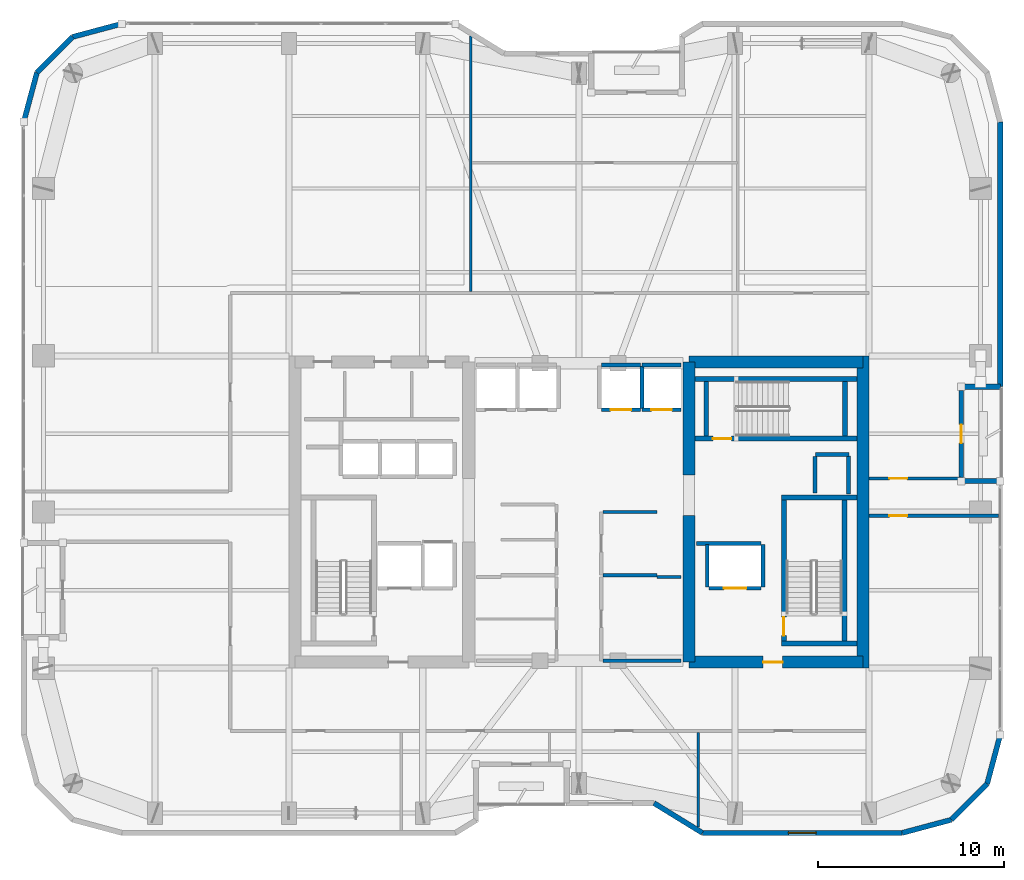
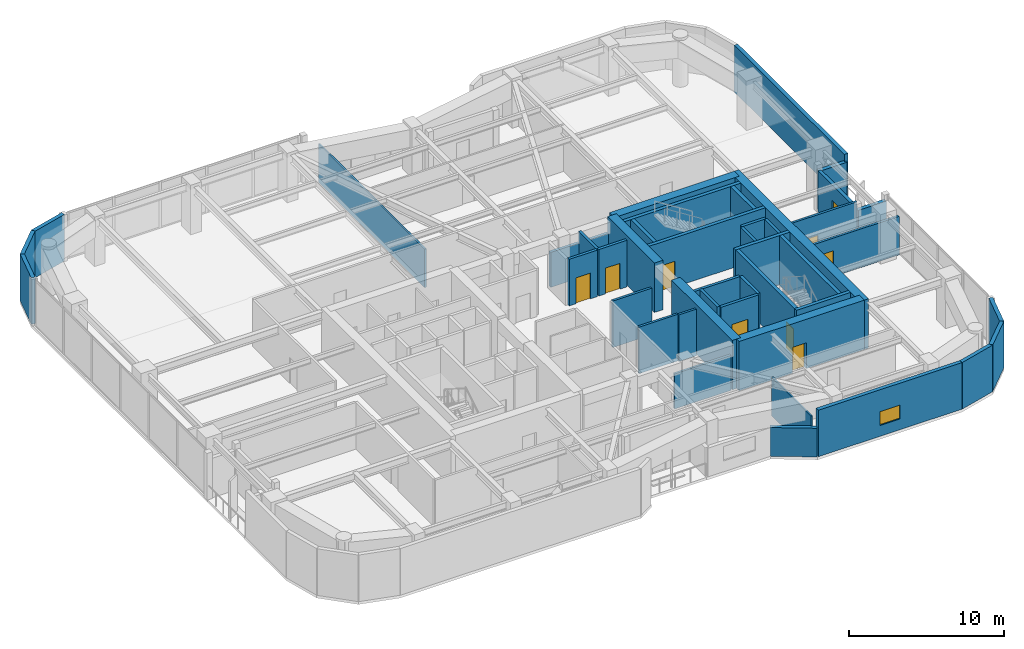
# One storey, part 26 of 30: 45 walls, 9 doors, 1 window, 10 openings.
"""IFC4 building model written with IfcOpenShell, lengths in metres."""

from ifc_helpers import new_model, si_unit, direction, frame, frame_2d, origin, place, context, subcontext, project, spatial, rectangle, extrude, material, layer, layer_set, type_object, element, fill, save


model = new_model("IFC4")

# Units and contexts
model_context = context("Model", 3, precision=1e-05, world=origin(), true_north=direction((0.0, 1.0)))
body_context = subcontext(model_context, "Body", "Model", "MODEL_VIEW")
ifc_project = project(units=[si_unit("LENGTHUNIT", "METRE"), si_unit("AREAUNIT", "SQUARE_METRE"), si_unit("VOLUMEUNIT", "CUBIC_METRE"), si_unit("PLANEANGLEUNIT", "RADIAN"), si_unit("MASSUNIT", "GRAM", prefix="KILO")], contexts=[model_context])

# Site, building, storey
site_placement = place(None, origin())
site = spatial("IfcSite", under=ifc_project, at=site_placement, CompositionType="ELEMENT")
building_placement = place(site_placement, origin())
building = spatial("IfcBuilding", under=site, at=building_placement, Name="Kiyonajd Concourse Tower", CompositionType="ELEMENT")
storey_placement = place(building_placement, frame((0.0, 0.0, 194.10009765625)))
storey = spatial("IfcBuildingStorey", under=building, at=storey_placement, Name="L49", CompositionType="ELEMENT", Elevation=194.10009765625)

# Walls
ifc_material_1 = material(Name="Concrete C60/75", Category="concrete")
ifc_layer_1 = layer(ifc_material_1, 0.64990234375)
ifc_layer_set_1 = layer_set([ifc_layer_1], Name="Concrete C60/75")
wall_type_1 = type_object("IfcWallType", Name="WL-CORE-650", PredefinedType="SHEAR", material=ifc_layer_set_1)
wall_1_placement = place(storey_placement, frame((53.925048828125, 27.925048828125, 0.0), z_axis=(0.0, 0.0, 1.0), x_axis=(0.0, 1.0, 0.0)))
element("IfcWall", 1, at=wall_1_placement, inside=storey, type_object=wall_type_1, Name="L49 East Core Inner South Shear Wall", PredefinedType="SHEAR", context=body_context, shape_type="SweptSolid", body=[
    extrude(rectangle(XDim=7.875, YDim=0.64990234375, at=frame_2d((3.9375, 0.0))), origin(), (0.0, 0.0, 1.0), 3.89990234375),
])
wall_2_placement = place(storey_placement, frame((53.925048828125, 38.0, 0.0), z_axis=(0.0, 0.0, 1.0), x_axis=(0.0, 1.0, 0.0)))
element("IfcWall", 2, at=wall_2_placement, inside=storey, type_object=wall_type_1, Name="L49 East Core Inner North Shear Wall", PredefinedType="SHEAR", context=body_context, shape_type="SweptSolid", body=[
    extrude(rectangle(XDim=6.074951171875, YDim=0.64990234375, at=frame_2d((3.03759765625, 0.0))), origin(), (0.0, 0.0, 1.0), 3.89990234375),
])
wall_3_placement = place(storey_placement, frame((63.27490234375, 27.60009765625, 0.0), z_axis=(0.0, 0.0, 1.0), x_axis=(0.0, 1.0, 0.0)))
element("IfcWall", 3, at=wall_3_placement, inside=storey, type_object=wall_type_1, Name="L49 East Core Outer Shear Wall", PredefinedType="SHEAR", context=body_context, shape_type="SweptSolid", body=[
    extrude(rectangle(XDim=16.7998046875, YDim=0.64990234375, at=frame_2d((8.39990234375, 0.0))), origin(), (0.0, 0.0, 1.0), 3.89990234375),
])

# Wall, opening, door
wall_4_placement = place(storey_placement, frame((53.925048828125, 27.925048828125, 0.0), z_axis=(0.0, 0.0, 1.0), x_axis=(1.0, 0.0, 0.0)))
wall_4 = element("IfcWall", 4, at=wall_4_placement, inside=storey, type_object=wall_type_1, Name="L49 East Core South Shear Wall", PredefinedType="SHEAR", context=body_context, shape_type="SweptSolid", body=[
    extrude(rectangle(XDim=9.349853515625, YDim=0.64990234375, at=frame_2d((4.6748046875, 0.0))), origin(), (0.0, 0.0, 1.0), 3.89990234375),
])
opening_1_placement = place(wall_4_placement, frame((3.97509765625, 0.0, 0.0)))
opening_1 = element("IfcOpeningElement", 5, at=opening_1_placement, cuts=wall_4, Name="Opening DF5", PredefinedType="OPENING", context=body_context, shape_type="SweptSolid", body=[
    extrude(rectangle(XDim=1.050048828125, YDim=2.0400390625, at=frame_2d((0.52490234375, 1.02001953125))), frame((0.0, 0.3349609375, 0.0), z_axis=(0.0, -1.0, 0.0), x_axis=(1.0, 0.0, 0.0)), (0.0, 0.0, 1.0), 0.669921875),
])
ifc_material_2 = material(Name="Brushed Stainless Steel Cab Assembly", Category="steel")
door_type_1 = type_object("IfcDoorType", Name="DR-FD45-1050", OperationType="NOTDEFINED", PredefinedType="DOOR", material=ifc_material_2)
door_1_placement = place(opening_1_placement, origin())
door_1 = element("IfcDoor", 6, at=door_1_placement, inside=storey, type_object=door_type_1, Name="L49 Firefighting Lift Lobby E Smoke Door", OperationType="SINGLE_SWING_RIGHT", OverallHeight=2.0400390625, OverallWidth=1.050048828125, PredefinedType="DOOR", context=body_context, shape_type="SweptSolid", body=[
    extrude(rectangle(XDim=1.050048828125, YDim=2.0400390625, at=frame_2d((0.52490234375, 1.02001953125))), frame((0.0, 0.02490234375, 0.0), z_axis=(0.0, -1.0, 0.0), x_axis=(1.0, 0.0, 0.0)), (0.0, 0.0, 1.0), 0.050048828125),
])
fill(opening_1, door_1)

# Walls
wall_5_placement = place(storey_placement, frame((53.925048828125, 44.074951171875, 0.0), z_axis=(0.0, 0.0, 1.0), x_axis=(1.0, 0.0, 0.0)))
element("IfcWall", 7, at=wall_5_placement, inside=storey, type_object=wall_type_1, Name="L49 East Core North Shear Wall", PredefinedType="SHEAR", context=body_context, shape_type="SweptSolid", body=[
    extrude(rectangle(XDim=9.349853515625, YDim=0.64990234375, at=frame_2d((4.6748046875, 0.0))), origin(), (0.0, 0.0, 1.0), 3.89990234375),
])
ifc_material_3 = material(Name="Precast concrete C50/60", Category="concrete")
ifc_layer_2 = layer(ifc_material_3, 0.280029296875)
ifc_layer_set_2 = layer_set([ifc_layer_2], Name="Precast concrete C50/60")
wall_type_2 = type_object("IfcWallType", Name="WL-EXT-280", PredefinedType="SOLIDWALL", material=ifc_layer_set_2)
wall_6_placement = place(storey_placement, frame((18.139892578125, 56.981689453125, 0.0), z_axis=(0.0, 0.0, 1.0), x_axis=(0.258672222976, 0.9659651552, 0.0)))
element("IfcWall", 8, at=wall_6_placement, inside=storey, type_object=wall_type_2, Name="L49 Exterior Concrete Frame Wall 06", PredefinedType="SOLIDWALL", context=body_context, shape_type="SweptSolid", body=[
    extrude(rectangle(XDim=2.739013671875, YDim=0.280029296875, at=frame_2d((1.36962890625, 0.0))), origin(), (0.0, 0.0, 1.0), 3.679931640625),
])
wall_7_placement = place(storey_placement, frame((18.848388671875, 59.62744140625, 0.0), z_axis=(0.0, 0.0, 1.0), x_axis=(0.707106781187, 0.707106781187, 0.0)))
element("IfcWall", 9, at=wall_7_placement, inside=storey, type_object=wall_type_2, Name="L49 Exterior Concrete Frame Wall 07", PredefinedType="SOLIDWALL", context=body_context, shape_type="SweptSolid", body=[
    extrude(rectangle(XDim=2.720947265625, YDim=0.280029296875, at=frame_2d((1.3603515625, 0.0))), origin(), (0.0, 0.0, 1.0), 3.679931640625),
])
wall_8_placement = place(storey_placement, frame((20.7724609375, 61.551513671875, 0.0), z_axis=(0.0, 0.0, 1.0), x_axis=(0.965971118627, 0.258649952598, 0.0)))
element("IfcWall", 10, at=wall_8_placement, inside=storey, type_object=wall_type_2, Name="L49 Exterior Concrete Frame Wall 08", PredefinedType="SOLIDWALL", context=body_context, shape_type="SweptSolid", body=[
    extrude(rectangle(XDim=2.7392578125, YDim=0.280029296875, at=frame_2d((1.36962890625, 0.0))), origin(), (0.0, 0.0, 1.0), 3.679931640625),
])
wall_9_placement = place(storey_placement, frame((70.659912109375, 56.981689453125, 0.0), z_axis=(0.0, 0.0, 1.0), x_axis=(0.0, -1.0, 0.0)))
element("IfcWall", 11, at=wall_9_placement, inside=storey, type_object=wall_type_2, Name="L49 Exterior Concrete Frame Wall 20", PredefinedType="SOLIDWALL", context=body_context, shape_type="SweptSolid", body=[
    extrude(rectangle(XDim=14.24169921875, YDim=0.280029296875, at=frame_2d((7.120849609375, 0.0))), origin(), (0.0, 0.0, 1.0), 3.679931640625),
])
for number, where, z_axis, x_axis, name in (
    (12, (70.659912109375, 42.739990234375, 0.0), (0.0, 0.0, 1.0), (-1.0, 0.0, 0.0), "L49 Exterior Concrete Frame Wall 21"),
    (13, (68.56005859375, 37.659912109375, 0.0), (0.0, 0.0, 1.0), (1.0, 0.0, 0.0), "L49 Exterior Concrete Frame Wall 23"),
):
    element("IfcWall", number, at=place(storey_placement, frame(where, z_axis=z_axis, x_axis=x_axis)), inside=storey, type_object=wall_type_2, Name=name, PredefinedType="SOLIDWALL", context=body_context, shape_type="SweptSolid", body=[
        extrude(rectangle(XDim=2.099853515625, YDim=0.280029296875, at=frame_2d((1.0498046875, 0.0))), origin(), (0.0, 0.0, 1.0), 3.115966796875),
    ])
wall_10_placement = place(storey_placement, frame((70.659912109375, 24.018310546875, 0.0), z_axis=(0.0, 0.0, 1.0), x_axis=(-0.258672222976, -0.9659651552, 0.0)))
element("IfcWall", 14, at=wall_10_placement, inside=storey, type_object=wall_type_2, Name="L49 Exterior Concrete Frame Wall 25", PredefinedType="SOLIDWALL", context=body_context, shape_type="SweptSolid", body=[
    extrude(rectangle(XDim=2.739013671875, YDim=0.280029296875, at=frame_2d((1.36962890625, 0.0))), origin(), (0.0, 0.0, 1.0), 3.679931640625),
])
wall_11_placement = place(storey_placement, frame((69.951416015625, 21.37255859375, 0.0), z_axis=(0.0, 0.0, 1.0), x_axis=(-0.707061915429, -0.707151644098, 0.0)))
element("IfcWall", 15, at=wall_11_placement, inside=storey, type_object=wall_type_2, Name="L49 Exterior Concrete Frame Wall 26", PredefinedType="SOLIDWALL", context=body_context, shape_type="SweptSolid", body=[
    extrude(rectangle(XDim=2.720947265625, YDim=0.280029296875, at=frame_2d((1.3603515625, 0.0))), origin(), (0.0, 0.0, 1.0), 3.679931640625),
])
wall_12_placement = place(storey_placement, frame((68.027587890625, 19.448486328125, 0.0), z_axis=(0.0, 0.0, 1.0), x_axis=(-0.965971118627, -0.258649952598, 0.0)))
element("IfcWall", 16, at=wall_12_placement, inside=storey, type_object=wall_type_2, Name="L49 Exterior Concrete Frame Wall 27", PredefinedType="SOLIDWALL", context=body_context, shape_type="SweptSolid", body=[
    extrude(rectangle(XDim=2.7392578125, YDim=0.280029296875, at=frame_2d((1.36962890625, 0.0))), origin(), (0.0, 0.0, 1.0), 3.679931640625),
])

# Wall, opening, window
wall_13_placement = place(storey_placement, frame((65.381591796875, 18.739990234375, 0.0), z_axis=(0.0, 0.0, 1.0), x_axis=(-1.0, 0.0, 0.0)))
wall_13 = element("IfcWall", 17, at=wall_13_placement, inside=storey, type_object=wall_type_2, Name="L49 Exterior Concrete Frame Wall 28", PredefinedType="SOLIDWALL", context=body_context, shape_type="SweptSolid", body=[
    extrude(rectangle(XDim=10.741943359375, YDim=0.280029296875, at=frame_2d((5.37109375, 0.0))), origin(), (0.0, 0.0, 1.0), 3.679931640625),
])
opening_2_placement = place(wall_13_placement, frame((4.62109375, 0.0, 0.85009765625)))
opening_2 = element("IfcOpeningElement", 18, at=opening_2_placement, cuts=wall_13, Name="Opening WN2", PredefinedType="OPENING", context=body_context, shape_type="SweptSolid", body=[
    extrude(rectangle(XDim=1.5, YDim=1.10009765625, at=frame_2d((0.75, 0.550048828125))), frame((0.0, 0.14990234375, 0.0), z_axis=(0.0, -1.0, 0.0), x_axis=(1.0, 0.0, 0.0)), (0.0, 0.0, 1.0), 0.300048828125),
])
ifc_material_4 = material(Name="Double Low-E Insulated Glass", Category="glass")
window_type = type_object("IfcWindowType", Name="WN-VIS-1500x1100", PartitioningType="SINGLE_PANEL", PredefinedType="WINDOW", material=ifc_material_4)
window_placement = place(opening_2_placement, origin())
window = element("IfcWindow", 19, at=window_placement, inside=storey, type_object=window_type, Name="L49 Modular Facade Vision Window 28", OverallHeight=1.10009765625, OverallWidth=1.5, PartitioningType="SINGLE_PANEL", PredefinedType="WINDOW", context=body_context, shape_type="SweptSolid", body=[
    extrude(rectangle(XDim=1.5, YDim=1.10009765625, at=frame_2d((0.75, 0.550048828125))), frame((0.0, 0.030029296875, 0.0), z_axis=(0.0, -1.0, 0.0), x_axis=(1.0, 0.0, 0.0)), (0.0, 0.0, 1.0), 0.06005859375),
])
fill(opening_2, window)

# Wall
wall_14_placement = place(storey_placement, frame((54.6396484375, 18.739990234375, 0.0), z_axis=(0.0, 0.0, 1.0), x_axis=(-0.851652825334, 0.524106349037, 0.0)))
element("IfcWall", 20, at=wall_14_placement, inside=storey, type_object=wall_type_2, Name="L49 Exterior Concrete Frame Wall 29", PredefinedType="SOLIDWALL", context=body_context, shape_type="SweptSolid", body=[
    extrude(rectangle(XDim=3.052978515625, YDim=0.280029296875, at=frame_2d((1.5263671875, 0.0))), origin(), (0.0, 0.0, 1.0), 2.264892578125),
])

# Wall, opening, door
ifc_layer_3 = layer(ifc_material_3, 0.239990234375)
ifc_layer_set_3 = layer_set([ifc_layer_3], Name="Precast concrete C50/60")
wall_type_3 = type_object("IfcWallType", Name="WL-LOG-240", PredefinedType="SOLIDWALL", material=ifc_layer_set_3)
wall_15_placement = place(storey_placement, frame((68.56005859375, 42.544921875, 0.0), z_axis=(0.0, 0.0, 1.0), x_axis=(0.0, -1.0, 0.0)))
wall_15 = element("IfcWall", 21, at=wall_15_placement, inside=storey, type_object=wall_type_3, Name="L49 Recessed Loggia Thermal Wall LOG-E", PredefinedType="SOLIDWALL", context=body_context, shape_type="SweptSolid", body=[
    extrude(rectangle(XDim=4.68994140625, YDim=0.239990234375, at=frame_2d((2.344970703125, 0.0))), origin(), (0.0, 0.0, 1.0), 3.247802734375),
])
opening_3_placement = place(wall_15_placement, frame((1.844970703125, 0.0, 0.0)))
opening_3 = element("IfcOpeningElement", 22, at=opening_3_placement, cuts=wall_15, Name="Opening DL1", PredefinedType="OPENING", context=body_context, shape_type="SweptSolid", body=[
    extrude(rectangle(XDim=1.0, YDim=2.02001953125, at=frame_2d((0.5, 1.010009765625))), frame((0.0, 0.1298828125, 0.0), z_axis=(0.0, -1.0, 0.0), x_axis=(1.0, 0.0, 0.0)), (0.0, 0.0, 1.0), 0.260009765625),
])
ifc_material_5 = material(Name="Thermally Broken Anodised Aluminium", Category="aluminium")
door_type_2 = type_object("IfcDoorType", Name="DR-LOG-1000", OperationType="NOTDEFINED", PredefinedType="DOOR", material=ifc_material_5)
door_2_placement = place(opening_3_placement, origin())
door_2 = element("IfcDoor", 23, at=door_2_placement, inside=storey, type_object=door_type_2, Name="L49 Engawa Loggia Access Door LOG-E", OperationType="SINGLE_SWING_LEFT", OverallHeight=2.02001953125, OverallWidth=1.0, PredefinedType="DOOR", context=body_context, shape_type="SweptSolid", body=[
    extrude(rectangle(XDim=1.0, YDim=2.02001953125, at=frame_2d((0.5, 1.010009765625))), frame((0.0, 0.02490234375, 0.0), z_axis=(0.0, -1.0, 0.0), x_axis=(1.0, 0.0, 0.0)), (0.0, 0.0, 1.0), 0.050048828125),
])
fill(opening_3, door_2)

# Walls
ifc_material_6 = material(Name="Gypsum Board on Cold-Formed Steel Stud", Category="steel")
ifc_layer_4 = layer(ifc_material_6, 0.125)
ifc_layer_set_4 = layer_set([ifc_layer_4], Name="Gypsum Board on Cold-Formed Steel Stud")
wall_type_4 = type_object("IfcWallType", Name="WL-PART-125", PredefinedType="PARTITIONING", material=ifc_layer_set_4)
wall_16_placement = place(storey_placement, frame((54.409912109375, 19.050048828125, 0.0), z_axis=(0.0, 0.0, 1.0), x_axis=(0.0, 1.0, 0.0)))
element("IfcWall", 24, at=wall_16_placement, inside=storey, type_object=wall_type_4, Name="L49 Interior Partition Wall", PredefinedType="PARTITIONING", context=body_context, shape_type="SweptSolid", body=[
    extrude(rectangle(XDim=5.093017578125, YDim=0.125, at=frame_2d((2.54638671875, 0.0))), origin(), (0.0, 0.0, 1.0), 3.04296875),
])
wall_17_placement = place(storey_placement, frame((42.179931640625, 47.85693359375, 0.0), z_axis=(0.0, 0.0, 1.0), x_axis=(0.0, 1.0, 0.0)))
element("IfcWall", 25, at=wall_17_placement, inside=storey, type_object=wall_type_4, Name="L49 Interior Partition Wall", PredefinedType="PARTITIONING", context=body_context, shape_type="SweptSolid", body=[
    extrude(rectangle(XDim=13.72998046875, YDim=0.125, at=frame_2d((6.864990234375, 0.0))), origin(), (0.0, 0.0, 1.0), 3.04296875),
])
ifc_layer_5 = layer(ifc_material_6, 0.2099609375)
ifc_layer_set_5 = layer_set([ifc_layer_5], Name="Gypsum Board on Cold-Formed Steel Stud")
wall_type_5 = type_object("IfcWallType", Name="WL-SHAFT-210", PredefinedType="PARTITIONING", material=ifc_layer_set_5)
wall_18_placement = place(storey_placement, frame((60.719970703125, 39.10009765625, 0.0), z_axis=(0.0, 0.0, 1.0), x_axis=(1.0, 0.0, 0.0)))
element("IfcWall", 26, at=wall_18_placement, inside=storey, type_object=wall_type_5, Name="L49 Shaft Enclosure Wall", PredefinedType="PARTITIONING", context=body_context, shape_type="SweptSolid", body=[
    extrude(rectangle(XDim=1.800048828125, YDim=0.2099609375, at=frame_2d((0.89990234375, 0.0))), origin(), (0.0, 0.0, 1.0), 3.679931640625),
])
wall_19_placement = place(storey_placement, frame((60.699951171875, 37.02001953125, 0.0), z_axis=(0.0, 0.0, 1.0), x_axis=(0.0, 1.0, 0.0)))
element("IfcWall", 27, at=wall_19_placement, inside=storey, type_object=wall_type_5, Name="L49 Shaft Enclosure Wall", PredefinedType="PARTITIONING", context=body_context, shape_type="SweptSolid", body=[
    extrude(rectangle(XDim=1.9599609375, YDim=0.2099609375, at=frame_2d((0.97998046875, 0.0))), origin(), (0.0, 0.0, 1.0), 3.679931640625),
])
wall_20_placement = place(storey_placement, frame((62.5, 36.97998046875, 0.0), z_axis=(0.0, 0.0, 1.0), x_axis=(0.0, 1.0, 0.0)))
element("IfcWall", 28, at=wall_20_placement, inside=storey, type_object=wall_type_5, Name="L49 Shaft Enclosure Wall", PredefinedType="PARTITIONING", context=body_context, shape_type="SweptSolid", body=[
    extrude(rectangle(XDim=2.0400390625, YDim=0.2099609375, at=frame_2d((1.02001953125, 0.0))), origin(), (0.0, 0.0, 1.0), 3.679931640625),
])

# Wall, opening, door
wall_21_placement = place(storey_placement, frame((55.0, 31.89990234375, 0.0), z_axis=(0.0, 0.0, 1.0), x_axis=(1.0, 0.0, 0.0)))
wall_21 = element("IfcWall", 29, at=wall_21_placement, inside=storey, type_object=wall_type_5, Name="L49 Shaft Enclosure Wall", PredefinedType="PARTITIONING", context=body_context, shape_type="SweptSolid", body=[
    extrude(rectangle(XDim=2.800048828125, YDim=0.2099609375, at=frame_2d((1.39990234375, 0.0))), origin(), (0.0, 0.0, 1.0), 3.679931640625),
])
opening_4_placement = place(wall_21_placement, frame((0.800048828125, 0.0, 0.0)))
opening_4 = element("IfcOpeningElement", 30, at=opening_4_placement, cuts=wall_21, Name="Opening LD2", PredefinedType="OPENING", context=body_context, shape_type="SweptSolid", body=[
    extrude(rectangle(XDim=1.199951171875, YDim=2.0400390625, at=frame_2d((0.60009765625, 1.02001953125))), frame((0.0, 0.114990234375, 0.0), z_axis=(0.0, -1.0, 0.0), x_axis=(1.0, 0.0, 0.0)), (0.0, 0.0, 1.0), 0.22998046875),
])
door_type_3 = type_object("IfcDoorType", Name="DR-LD-1200", OperationType="DOUBLE_DOOR_SLIDING", PredefinedType="DOOR", material=ifc_material_2)
door_3_placement = place(opening_4_placement, origin())
door_3 = element("IfcDoor", 31, at=door_3_placement, inside=storey, type_object=door_type_3, Name="L49 Lift FFL2 Sliding Landing Door", OperationType="DOUBLE_DOOR_SLIDING", OverallHeight=2.0400390625, OverallWidth=1.199951171875, PredefinedType="DOOR", context=body_context, shape_type="SweptSolid", body=[
    extrude(rectangle(XDim=1.199951171875, YDim=2.0400390625, at=frame_2d((0.60009765625, 1.02001953125))), frame((0.0, 0.02490234375, 0.0), z_axis=(0.0, -1.0, 0.0), x_axis=(1.0, 0.0, 0.0)), (0.0, 0.0, 1.0), 0.050048828125),
])
fill(opening_4, door_3)

# Walls
wall_22_placement = place(storey_placement, frame((54.320068359375, 34.300048828125, 0.0), z_axis=(0.0, 0.0, 1.0), x_axis=(1.0, 0.0, 0.0)))
element("IfcWall", 32, at=wall_22_placement, inside=storey, type_object=wall_type_5, Name="L49 Shaft Enclosure Wall", PredefinedType="PARTITIONING", context=body_context, shape_type="SweptSolid", body=[
    extrude(rectangle(XDim=3.47998046875, YDim=0.2099609375, at=frame_2d((1.739990234375, 0.0))), origin(), (0.0, 0.0, 1.0), 3.679931640625),
])
for number, where, z_axis, x_axis, name in (
    (33, (54.89990234375, 31.9599609375, 0.0), (0.0, 0.0, 1.0), (0.0, 1.0, 0.0), "L49 Shaft Enclosure Wall"),
    (34, (57.89990234375, 31.9599609375, 0.0), (0.0, 0.0, 1.0), (0.0, 1.0, 0.0), "L49 Shaft Enclosure Wall"),
):
    element("IfcWall", number, at=place(storey_placement, frame(where, z_axis=z_axis, x_axis=x_axis)), inside=storey, type_object=wall_type_5, Name=name, PredefinedType="PARTITIONING", context=body_context, shape_type="SweptSolid", body=[
        extrude(rectangle(XDim=2.280029296875, YDim=0.2099609375, at=frame_2d((1.14013671875, 0.0))), origin(), (0.0, 0.0, 1.0), 3.679931640625),
    ])

# Wall, opening, door
wall_23_placement = place(storey_placement, frame((49.199951171875, 41.5, 0.0), z_axis=(0.0, 0.0, 1.0), x_axis=(1.0, 0.0, 0.0)))
wall_23 = element("IfcWall", 35, at=wall_23_placement, inside=storey, type_object=wall_type_5, Name="L49 Shaft Enclosure Wall", PredefinedType="PARTITIONING", context=body_context, shape_type="SweptSolid", body=[
    extrude(rectangle(XDim=2.10009765625, YDim=0.2099609375, at=frame_2d((1.050048828125, 0.0))), origin(), (0.0, 0.0, 1.0), 3.679931640625),
])
opening_5_placement = place(wall_23_placement, frame((0.5, 0.0, 0.0)))
opening_5 = element("IfcOpeningElement", 36, at=opening_5_placement, cuts=wall_23, Name="Opening LD1", PredefinedType="OPENING", context=body_context, shape_type="SweptSolid", body=[
    extrude(rectangle(XDim=1.10009765625, YDim=2.0400390625, at=frame_2d((0.550048828125, 1.02001953125))), frame((0.0, 0.114990234375, 0.0), z_axis=(0.0, -1.0, 0.0), x_axis=(1.0, 0.0, 0.0)), (0.0, 0.0, 1.0), 0.22998046875),
])
door_type_4 = type_object("IfcDoorType", Name="DR-LD-1100", OperationType="DOUBLE_DOOR_SLIDING", PredefinedType="DOOR", material=ifc_material_2)
door_4_placement = place(opening_5_placement, origin())
door_4 = element("IfcDoor", 37, at=door_4_placement, inside=storey, type_object=door_type_4, Name="L49 Lift PL-M3 Sliding Landing Door", OperationType="DOUBLE_DOOR_SLIDING", OverallHeight=2.0400390625, OverallWidth=1.10009765625, PredefinedType="DOOR", context=body_context, shape_type="SweptSolid", body=[
    extrude(rectangle(XDim=1.10009765625, YDim=2.0400390625, at=frame_2d((0.550048828125, 1.02001953125))), frame((0.0, 0.02490234375, 0.0), z_axis=(0.0, -1.0, 0.0), x_axis=(1.0, 0.0, 0.0)), (0.0, 0.0, 1.0), 0.050048828125),
])
fill(opening_5, door_4)

# Walls
wall_24_placement = place(storey_placement, frame((49.199951171875, 43.89990234375, 0.0), z_axis=(0.0, 0.0, 1.0), x_axis=(1.0, 0.0, 0.0)))
element("IfcWall", 38, at=wall_24_placement, inside=storey, type_object=wall_type_5, Name="L49 Shaft Enclosure Wall", PredefinedType="PARTITIONING", context=body_context, shape_type="SweptSolid", body=[
    extrude(rectangle(XDim=2.10009765625, YDim=0.2099609375, at=frame_2d((1.050048828125, 0.0))), origin(), (0.0, 0.0, 1.0), 2.764892578125),
])
wall_25_placement = place(storey_placement, frame((51.39990234375, 41.56005859375, 0.0), z_axis=(0.0, 0.0, 1.0), x_axis=(0.0, 1.0, 0.0)))
element("IfcWall", 39, at=wall_25_placement, inside=storey, type_object=wall_type_5, Name="L49 Shaft Enclosure Wall", PredefinedType="PARTITIONING", context=body_context, shape_type="SweptSolid", body=[
    extrude(rectangle(XDim=2.280029296875, YDim=0.2099609375, at=frame_2d((1.14013671875, 0.0))), origin(), (0.0, 0.0, 1.0), 3.679931640625),
])

# Wall, opening, door
wall_26_placement = place(storey_placement, frame((51.39990234375, 41.5, 0.0), z_axis=(0.0, 0.0, 1.0), x_axis=(1.0, 0.0, 0.0)))
wall_26 = element("IfcWall", 40, at=wall_26_placement, inside=storey, type_object=wall_type_5, Name="L49 Shaft Enclosure Wall", PredefinedType="PARTITIONING", context=body_context, shape_type="SweptSolid", body=[
    extrude(rectangle(XDim=2.10009765625, YDim=0.2099609375, at=frame_2d((1.050048828125, 0.0))), origin(), (0.0, 0.0, 1.0), 3.679931640625),
])
opening_6_placement = place(wall_26_placement, frame((0.5, 0.0, 0.0)))
opening_6 = element("IfcOpeningElement", 41, at=opening_6_placement, cuts=wall_26, Name="Opening LD1", PredefinedType="OPENING", context=body_context, shape_type="SweptSolid", body=[
    extrude(rectangle(XDim=1.10009765625, YDim=2.0400390625, at=frame_2d((0.550048828125, 1.02001953125))), frame((0.0, 0.114990234375, 0.0), z_axis=(0.0, -1.0, 0.0), x_axis=(1.0, 0.0, 0.0)), (0.0, 0.0, 1.0), 0.22998046875),
])
door_5_placement = place(opening_6_placement, origin())
door_5 = element("IfcDoor", 42, at=door_5_placement, inside=storey, type_object=door_type_4, Name="L49 Lift PL-M4 Sliding Landing Door", OperationType="DOUBLE_DOOR_SLIDING", OverallHeight=2.0400390625, OverallWidth=1.10009765625, PredefinedType="DOOR", context=body_context, shape_type="SweptSolid", body=[
    extrude(rectangle(XDim=1.10009765625, YDim=2.0400390625, at=frame_2d((0.550048828125, 1.02001953125))), frame((0.0, 0.02490234375, 0.0), z_axis=(0.0, -1.0, 0.0), x_axis=(1.0, 0.0, 0.0)), (0.0, 0.0, 1.0), 0.050048828125),
])
fill(opening_6, door_5)

# Walls
wall_27_placement = place(storey_placement, frame((51.39990234375, 43.89990234375, 0.0), z_axis=(0.0, 0.0, 1.0), x_axis=(1.0, 0.0, 0.0)))
element("IfcWall", 43, at=wall_27_placement, inside=storey, type_object=wall_type_5, Name="L49 Shaft Enclosure Wall", PredefinedType="PARTITIONING", context=body_context, shape_type="SweptSolid", body=[
    extrude(rectangle(XDim=2.10009765625, YDim=0.2099609375, at=frame_2d((1.050048828125, 0.0))), origin(), (0.0, 0.0, 1.0), 2.764892578125),
])
ifc_layer_6 = layer(ifc_material_6, 0.169921875)
ifc_layer_set_6 = layer_set([ifc_layer_6], Name="Gypsum Board on Cold-Formed Steel Stud")
wall_type_6 = type_object("IfcWallType", Name="WL-SMK-170", PredefinedType="PARTITIONING", material=ifc_layer_set_6)
for number, where, z_axis, x_axis, name in (
    (44, (49.287109375, 32.60009765625, 0.0), (0.0, 0.0, 1.0), (1.0, 0.0, 0.0), "L49 Interior Partition Wall"),
    (45, (49.287109375, 36.0, 0.0), (0.0, 0.0, 1.0), (1.0, 0.0, 0.0), "L49 Interior Partition Wall"),
):
    element("IfcWall", number, at=place(storey_placement, frame(where, z_axis=z_axis, x_axis=x_axis)), inside=storey, type_object=wall_type_6, Name=name, PredefinedType="PARTITIONING", context=body_context, shape_type="SweptSolid", body=[
        extrude(rectangle(XDim=2.912841796875, YDim=0.169921875, at=frame_2d((1.45654296875, 0.0))), origin(), (0.0, 0.0, 1.0), 3.679931640625),
    ])
wall_28_placement = place(storey_placement, frame((49.287109375, 28.0, 0.0), z_axis=(0.0, 0.0, 1.0), x_axis=(1.0, 0.0, 0.0)))
element("IfcWall", 46, at=wall_28_placement, inside=storey, type_object=wall_type_6, Name="L49 Interior Partition Wall", PredefinedType="PARTITIONING", context=body_context, shape_type="SweptSolid", body=[
    extrude(rectangle(XDim=4.212890625, YDim=0.169921875, at=frame_2d((2.1064453125, 0.0))), origin(), (0.0, 0.0, 1.0), 2.764892578125),
])
wall_29_placement = place(storey_placement, frame((52.199951171875, 32.5, 0.0), z_axis=(0.0, 0.0, 1.0), x_axis=(1.0, 0.0, 0.0)))
element("IfcWall", 47, at=wall_29_placement, inside=storey, type_object=wall_type_6, Name="L49 Interior Partition Wall", PredefinedType="PARTITIONING", context=body_context, shape_type="SweptSolid", body=[
    extrude(rectangle(XDim=1.300048828125, YDim=0.169921875, at=frame_2d((0.64990234375, 0.0))), origin(), (0.0, 0.0, 1.0), 3.679931640625),
])

# Wall, opening, door
wall_30_placement = place(storey_placement, frame((63.60009765625, 35.800048828125, 0.0), z_axis=(0.0, 0.0, 1.0), x_axis=(1.0, 0.0, 0.0)))
wall_30 = element("IfcWall", 48, at=wall_30_placement, inside=storey, type_object=wall_type_6, Name="L49 Interior Partition Wall", PredefinedType="PARTITIONING", context=body_context, shape_type="SweptSolid", body=[
    extrude(rectangle(XDim=6.974853515625, YDim=0.169921875, at=frame_2d((3.4873046875, 0.0))), origin(), (0.0, 0.0, 1.0), 3.04296875),
])
opening_7_placement = place(wall_30_placement, frame((1.10009765625, 0.0, 0.0)))
opening_7 = element("IfcOpeningElement", 49, at=opening_7_placement, cuts=wall_30, Name="Opening DI1", PredefinedType="OPENING", context=body_context, shape_type="SweptSolid", body=[
    extrude(rectangle(XDim=0.949951171875, YDim=2.0400390625, at=frame_2d((0.47509765625, 1.02001953125))), frame((0.0, 0.094970703125, 0.0), z_axis=(0.0, -1.0, 0.0), x_axis=(1.0, 0.0, 0.0)), (0.0, 0.0, 1.0), 0.18994140625),
])
ifc_material_7 = material(Name="Natural Oak Acoustic Timber Veneer", Category="wood")
door_type_5 = type_object("IfcDoorType", Name="DR-INT-950", OperationType="NOTDEFINED", PredefinedType="DOOR", material=ifc_material_7)
door_6_placement = place(opening_7_placement, origin())
door_6 = element("IfcDoor", 50, at=door_6_placement, inside=storey, type_object=door_type_5, Name="L49 Interior Door", OperationType="SINGLE_SWING_RIGHT", OverallHeight=2.0400390625, OverallWidth=0.949951171875, PredefinedType="DOOR", context=body_context, shape_type="SweptSolid", body=[
    extrude(rectangle(XDim=0.949951171875, YDim=2.0400390625, at=frame_2d((0.47509765625, 1.02001953125))), frame((0.0, 0.02490234375, 0.0), z_axis=(0.0, -1.0, 0.0), x_axis=(1.0, 0.0, 0.0)), (0.0, 0.0, 1.0), 0.050048828125),
])
fill(opening_7, door_6)

wall_31_placement = place(storey_placement, frame((63.60009765625, 37.800048828125, 0.0), z_axis=(0.0, 0.0, 1.0), x_axis=(1.0, 0.0, 0.0)))
wall_31 = element("IfcWall", 51, at=wall_31_placement, inside=storey, type_object=wall_type_6, Name="L49 Interior Partition Wall", PredefinedType="PARTITIONING", context=body_context, shape_type="SweptSolid", body=[
    extrude(rectangle(XDim=4.9599609375, YDim=0.169921875, at=frame_2d((2.47998046875, 0.0))), origin(), (0.0, 0.0, 1.0), 3.679931640625),
])
opening_8_placement = place(wall_31_placement, frame((1.10009765625, 0.0, 0.0)))
opening_8 = element("IfcOpeningElement", 52, at=opening_8_placement, cuts=wall_31, Name="Opening DI1", PredefinedType="OPENING", context=body_context, shape_type="SweptSolid", body=[
    extrude(rectangle(XDim=0.949951171875, YDim=2.0400390625, at=frame_2d((0.47509765625, 1.02001953125))), frame((0.0, 0.094970703125, 0.0), z_axis=(0.0, -1.0, 0.0), x_axis=(1.0, 0.0, 0.0)), (0.0, 0.0, 1.0), 0.18994140625),
])
door_7_placement = place(opening_8_placement, origin())
door_7 = element("IfcDoor", 53, at=door_7_placement, inside=storey, type_object=door_type_5, Name="L49 Interior Door", OperationType="SINGLE_SWING_LEFT", OverallHeight=2.0400390625, OverallWidth=0.949951171875, PredefinedType="DOOR", context=body_context, shape_type="SweptSolid", body=[
    extrude(rectangle(XDim=0.949951171875, YDim=2.0400390625, at=frame_2d((0.47509765625, 1.02001953125))), frame((0.0, 0.02490234375, 0.0), z_axis=(0.0, -1.0, 0.0), x_axis=(1.0, 0.0, 0.0)), (0.0, 0.0, 1.0), 0.050048828125),
])
fill(opening_8, door_7)

# Walls
ifc_material_8 = material(Name="Concrete C50/60", Category="concrete")
ifc_layer_7 = layer(ifc_material_8, 0.260009765625)
ifc_layer_set_7 = layer_set([ifc_layer_7], Name="Concrete C50/60")
wall_type_7 = type_object("IfcWallType", Name="WL-STAIR-260", PredefinedType="SHEAR", material=ifc_layer_set_7)
for number, where, z_axis, x_axis, name in (
    (54, (58.889892578125, 28.919921875, 0.0), (0.0, 0.0, 1.0), (1.0, 0.0, 0.0), "L49 Stair ST2 Structural South Wall"),
    (55, (58.889892578125, 36.780029296875, 0.0), (0.0, 0.0, 1.0), (1.0, 0.0, 0.0), "L49 Stair ST2 Structural North Wall"),
):
    element("IfcWall", number, at=place(storey_placement, frame(where, z_axis=z_axis, x_axis=x_axis)), inside=storey, type_object=wall_type_7, Name=name, PredefinedType="SHEAR", context=body_context, shape_type="SweptSolid", body=[
        extrude(rectangle(XDim=4.06005859375, YDim=0.260009765625, at=frame_2d((2.030029296875, 0.0))), origin(), (0.0, 0.0, 1.0), 3.89990234375),
    ])

# Wall, opening, door
wall_32_placement = place(storey_placement, frame((59.02001953125, 29.050048828125, 0.0), z_axis=(0.0, 0.0, 1.0), x_axis=(0.0, 1.0, 0.0)))
wall_32 = element("IfcWall", 56, at=wall_32_placement, inside=storey, type_object=wall_type_7, Name="L49 Stair ST2 Structural West Wall", PredefinedType="SHEAR", context=body_context, shape_type="SweptSolid", body=[
    extrude(rectangle(XDim=7.599853515625, YDim=0.260009765625, at=frame_2d((3.7998046875, 0.0))), origin(), (0.0, 0.0, 1.0), 3.89990234375),
])
opening_9_placement = place(wall_32_placement, frame((0.300048828125, 0.0, 0.0)))
opening_9 = element("IfcOpeningElement", 57, at=opening_9_placement, cuts=wall_32, Name="Opening DF1", PredefinedType="OPENING", context=body_context, shape_type="SweptSolid", body=[
    extrude(rectangle(XDim=1.0, YDim=2.0400390625, at=frame_2d((0.5, 1.02001953125))), frame((0.0, 0.139892578125, 0.0), z_axis=(0.0, -1.0, 0.0), x_axis=(1.0, 0.0, 0.0)), (0.0, 0.0, 1.0), 0.280029296875),
])
door_type_6 = type_object("IfcDoorType", Name="DR-FD90-1000", OperationType="NOTDEFINED", PredefinedType="DOOR", material=ifc_material_2)
door_8_placement = place(opening_9_placement, origin())
door_8 = element("IfcDoor", 58, at=door_8_placement, inside=storey, type_object=door_type_6, Name="L49 Stair ST2 FSAE Door", OperationType="SINGLE_SWING_RIGHT", OverallHeight=2.0400390625, OverallWidth=1.0, PredefinedType="DOOR", context=body_context, shape_type="SweptSolid", body=[
    extrude(rectangle(XDim=1.0, YDim=2.0400390625, at=frame_2d((0.5, 1.02001953125))), frame((0.0, 0.02490234375, 0.0), z_axis=(0.0, -1.0, 0.0), x_axis=(1.0, 0.0, 0.0)), (0.0, 0.0, 1.0), 0.050048828125),
])
fill(opening_9, door_8)

# Wall
wall_33_placement = place(storey_placement, frame((62.280029296875, 29.050048828125, 0.0), z_axis=(0.0, 0.0, 1.0), x_axis=(0.0, 1.0, 0.0)))
element("IfcWall", 59, at=wall_33_placement, inside=storey, type_object=wall_type_7, Name="L49 Stair ST2 Structural East Wall", PredefinedType="SHEAR", context=body_context, shape_type="SweptSolid", body=[
    extrude(rectangle(XDim=7.599853515625, YDim=0.260009765625, at=frame_2d((3.7998046875, 0.0))), origin(), (0.0, 0.0, 1.0), 3.89990234375),
])

# Wall, opening, door
wall_34_placement = place(storey_placement, frame((54.25, 39.949951171875, 0.0), z_axis=(0.0, 0.0, 1.0), x_axis=(1.0, 0.0, 0.0)))
wall_34 = element("IfcWall", 60, at=wall_34_placement, inside=storey, type_object=wall_type_7, Name="L49 Stair ST3 Structural South Wall", PredefinedType="SHEAR", context=body_context, shape_type="SweptSolid", body=[
    extrude(rectangle(XDim=8.699951171875, YDim=0.260009765625, at=frame_2d((4.35009765625, 0.0))), origin(), (0.0, 0.0, 1.0), 3.89990234375),
])
opening_10_placement = place(wall_34_placement, frame((0.949951171875, 0.0, 0.0)))
opening_10 = element("IfcOpeningElement", 61, at=opening_10_placement, cuts=wall_34, Name="Opening DF1", PredefinedType="OPENING", context=body_context, shape_type="SweptSolid", body=[
    extrude(rectangle(XDim=1.0, YDim=2.0400390625, at=frame_2d((0.5, 1.02001953125))), frame((0.0, 0.139892578125, 0.0), z_axis=(0.0, -1.0, 0.0), x_axis=(1.0, 0.0, 0.0)), (0.0, 0.0, 1.0), 0.280029296875),
])
door_9_placement = place(opening_10_placement, origin())
door_9 = element("IfcDoor", 62, at=door_9_placement, inside=storey, type_object=door_type_6, Name="L49 Stair ST3 Enclosure Door", OperationType="SINGLE_SWING_LEFT", OverallHeight=2.0400390625, OverallWidth=1.0, PredefinedType="DOOR", context=body_context, shape_type="SweptSolid", body=[
    extrude(rectangle(XDim=1.0, YDim=2.0400390625, at=frame_2d((0.5, 1.02001953125))), frame((0.0, 0.02490234375, 0.0), z_axis=(0.0, -1.0, 0.0), x_axis=(1.0, 0.0, 0.0)), (0.0, 0.0, 1.0), 0.050048828125),
])
fill(opening_10, door_9)

# Walls
wall_35_placement = place(storey_placement, frame((54.25, 43.14990234375, 0.0), z_axis=(0.0, 0.0, 1.0), x_axis=(1.0, 0.0, 0.0)))
element("IfcWall", 63, at=wall_35_placement, inside=storey, type_object=wall_type_7, Name="L49 Stair ST3 Structural North Wall", PredefinedType="SHEAR", context=body_context, shape_type="SweptSolid", body=[
    extrude(rectangle(XDim=8.699951171875, YDim=0.260009765625, at=frame_2d((4.35009765625, 0.0))), origin(), (0.0, 0.0, 1.0), 3.89990234375),
])
for number, where, z_axis, x_axis, name in (
    (64, (54.85009765625, 40.080078125, 0.0), (0.0, 0.0, 1.0), (0.0, 1.0, 0.0), "L49 Stair ST3 Structural West Wall"),
    (65, (62.31005859375, 40.080078125, 0.0), (0.0, 0.0, 1.0), (0.0, 1.0, 0.0), "L49 Stair ST3 Structural East Wall"),
):
    element("IfcWall", number, at=place(storey_placement, frame(where, z_axis=z_axis, x_axis=x_axis)), inside=storey, type_object=wall_type_7, Name=name, PredefinedType="SHEAR", context=body_context, shape_type="SweptSolid", body=[
        extrude(rectangle(XDim=2.93994140625, YDim=0.260009765625, at=frame_2d((1.469970703125, 0.0))), origin(), (0.0, 0.0, 1.0), 3.89990234375),
    ])

save(model, "model.ifc")
